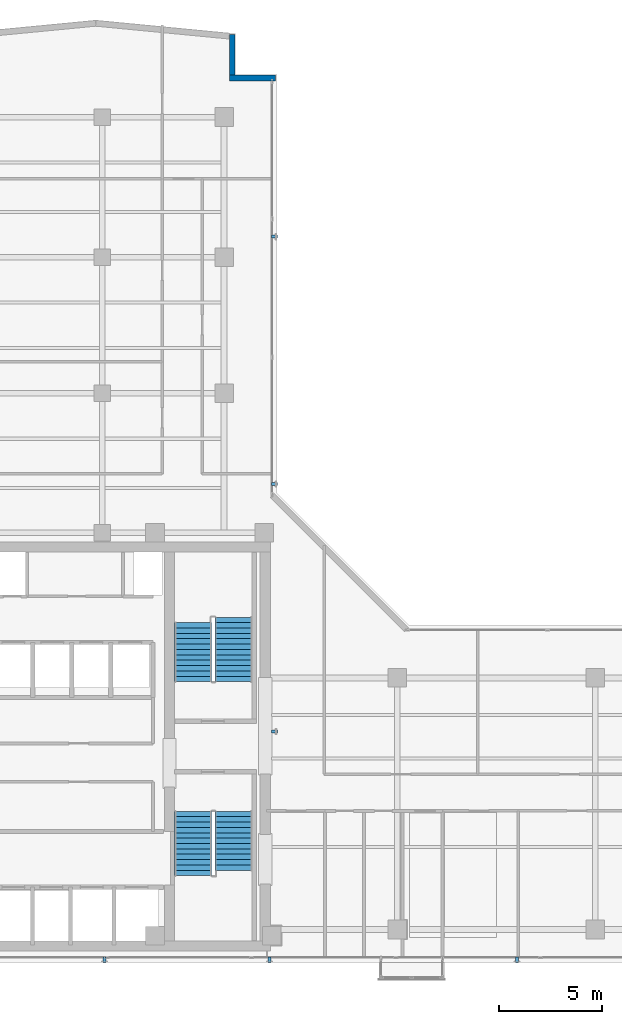
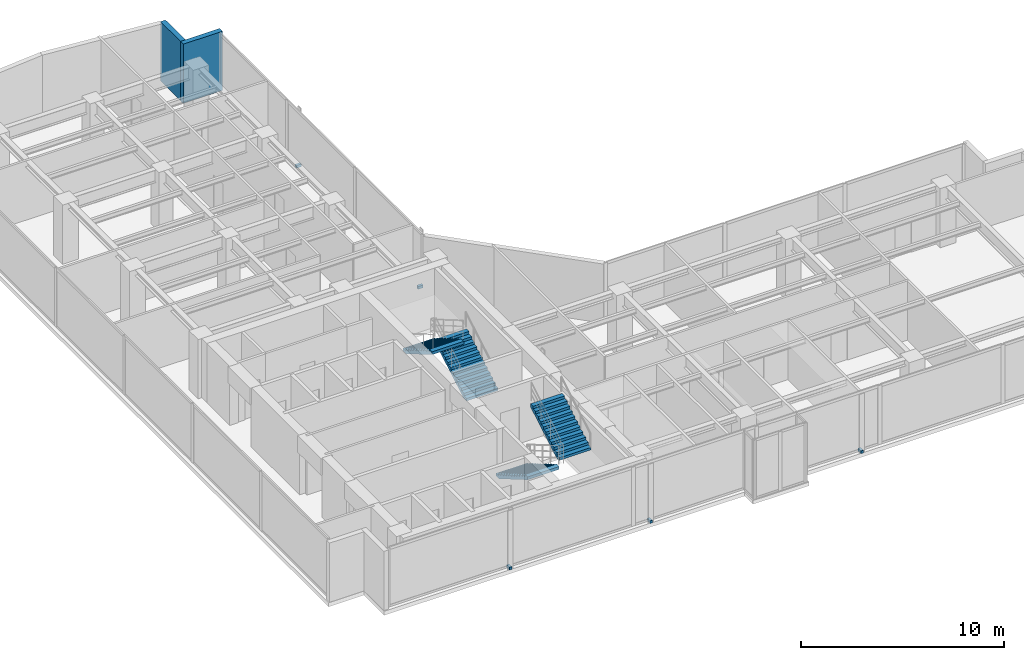
# One storey, part 19 of 22: 6 discrete accessories, 4 stair flights, 2 walls, 2 elements without a shape of their own.
"""IFC4 building model written with IfcOpenShell, lengths in metres."""

from ifc_helpers import new_model, si_unit, direction, frame, frame_2d, origin, origin_with_axes, origin_2d, place, context, subcontext, project, spatial, polyline, rectangle, outline, extrude, source, transform, mapped, material, layer, layer_set, type_object, element, aggregate, save


model = new_model("IFC4")

# Units and contexts
model_context = context("Model", 3, precision=1e-05, world=origin(), true_north=direction((0.0, 1.0)))
body_context = subcontext(model_context, "Body", "Model", "MODEL_VIEW")
ifc_project = project(units=[si_unit("LENGTHUNIT", "METRE"), si_unit("AREAUNIT", "SQUARE_METRE"), si_unit("VOLUMEUNIT", "CUBIC_METRE"), si_unit("PLANEANGLEUNIT", "RADIAN"), si_unit("MASSUNIT", "GRAM", prefix="KILO")], contexts=[model_context])

# Site, building, storey
site_placement = place(None, origin())
site = spatial("IfcSite", under=ifc_project, at=site_placement, CompositionType="ELEMENT")
building_placement = place(site_placement, origin())
building = spatial("IfcBuilding", under=site, at=building_placement, Name="Kolvaren Waterfront Exchange", CompositionType="ELEMENT")
storey_placement = place(building_placement, frame((0.0, 0.0, 278.0)))
storey = spatial("IfcBuildingStorey", under=building, at=storey_placement, Name="L71", CompositionType="ELEMENT", Elevation=278.0)

# Walls
ifc_material_1 = material(Name="Precast concrete C40/50", Category="concrete")
ifc_layer = layer(ifc_material_1, 0.280029296875, Name="Precast concrete C40/50")
ifc_layer_set = layer_set([ifc_layer], Name="Precast concrete C40/50")
wall_type = type_object("IfcWallType", Name="ARC-EXT-TERR-280", PredefinedType="SOLIDWALL", material=ifc_layer_set)
wall_1_placement = place(storey_placement, frame((19.057861328125, 46.49267578125, 0.0), z_axis=(0.0, 0.0, 1.0), x_axis=(1.0, 0.0, 0.0)))
element("IfcWall", 1, at=wall_1_placement, inside=storey, type_object=wall_type, Name="L71 notched corner spandrel pier NNE-A", PredefinedType="SOLIDWALL", context=body_context, shape_type="SweptSolid", body=[
    extrude(rectangle(XDim=2.239990234375, YDim=0.280029296875, at=frame_2d((1.1201171875, 0.0))), origin(), (0.0, 0.0, 1.0), 3.56005859375),
])
wall_2_placement = place(storey_placement, frame((19.197998046875, 46.632568359375, 0.0), z_axis=(0.0, 0.0, 1.0), x_axis=(0.0, 1.0, 0.0)))
element("IfcWall", 2, at=wall_2_placement, inside=storey, type_object=wall_type, Name="L71 notched corner spandrel pier NNE-B", PredefinedType="SOLIDWALL", context=body_context, shape_type="SweptSolid", body=[
    extrude(rectangle(XDim=1.9599609375, YDim=0.280029296875, at=frame_2d((0.97998046875, 0.0))), origin(), (0.0, 0.0, 1.0), 3.56005859375),
])

# Stair, stair flights
ifc_material_2 = material(Name="Concrete C40/50", Category="concrete")
stair_type = type_object("IfcStairType", Name="ARC-STAIR-3800", PredefinedType="HALF_TURN_STAIR", material=ifc_material_2)
stair_1_placement = place(storey_placement, origin())
stair_1 = element("IfcStair", 3, at=stair_1_placement, inside=storey, type_object=stair_type, Name="L71 Smoke-proof exit stair ST1", PredefinedType="HALF_TURN_STAIR")
stair_flight_type = type_object("IfcStairFlightType", Name="ARC-FLIGHT-3800", PredefinedType="STRAIGHT", material=ifc_material_2)
stair_flight_1_placement = place(storey_placement, frame((17.300048828125, 10.929931640625, 0.0), z_axis=(0.0, 0.0, 1.0), x_axis=(0.0, -1.0, 0.0)))
stair_flight_1 = element("IfcStairFlight", 4, at=stair_flight_1_placement, type_object=stair_flight_type, Name="ST1 flight 1", NumberOfRisers=13, NumberOfTreads=12, PredefinedType="STRAIGHT", RiserHeight=0.152, TreadLength=0.26, context=body_context, shape_type="SweptSolid", body=[
    extrude(outline(polyline([(0.0, 0.0), (0.0, 0.152099609375), (0.260009765625, 0.152099609375), (0.260009765625, 0.303955078125), (0.52001953125, 0.303955078125), (0.52001953125, 0.4560546875), (0.780029296875, 0.4560546875), (0.780029296875, 0.60791015625), (1.0400390625, 0.60791015625), (1.0400390625, 0.760009765625), (1.300048828125, 0.760009765625), (1.300048828125, 0.912109375), (1.56005859375, 0.912109375), (1.56005859375, 1.06396484375), (1.820068359375, 1.06396484375), (1.820068359375, 1.216064453125), (2.080078125, 1.216064453125), (2.080078125, 1.367919921875), (2.340087890625, 1.367919921875), (2.340087890625, 1.52001953125), (2.60009765625, 1.52001953125), (2.60009765625, 1.672119140625), (2.860107421875, 1.672119140625), (2.860107421875, 1.823974609375), (3.1201171875, 1.823974609375), (3.1201171875, 1.97607421875), (3.1201171875, 1.650390625), (0.297119140625, 0.0), (0.0, 0.0)])), frame((0.0, 0.89990234375, 0.0), z_axis=(0.0, -1.0, 0.0), x_axis=(1.0, 0.0, 0.0)), (0.0, 0.0, 1.0), 1.800048828125),
])
stair_flight_2_placement = place(storey_placement, frame((19.260009765625, 8.070068359375, 1.97607421875), z_axis=(0.0, 0.0, 1.0), x_axis=(0.0, 1.0, 0.0)))
stair_flight_2 = element("IfcStairFlight", 5, at=stair_flight_2_placement, type_object=stair_flight_type, Name="ST1 flight 2", NumberOfRisers=12, NumberOfTreads=11, PredefinedType="STRAIGHT", RiserHeight=0.152, TreadLength=0.26, context=body_context, shape_type="SweptSolid", body=[
    extrude(outline(polyline([(0.0, 0.0), (0.0, 0.152099609375), (0.260009765625, 0.152099609375), (0.260009765625, 0.303955078125), (0.52001953125, 0.303955078125), (0.52001953125, 0.4560546875), (0.780029296875, 0.4560546875), (0.780029296875, 0.60791015625), (1.0400390625, 0.60791015625), (1.0400390625, 0.760009765625), (1.300048828125, 0.760009765625), (1.300048828125, 0.912109375), (1.56005859375, 0.912109375), (1.56005859375, 1.06396484375), (1.820068359375, 1.06396484375), (1.820068359375, 1.216064453125), (2.080078125, 1.216064453125), (2.080078125, 1.367919921875), (2.340087890625, 1.367919921875), (2.340087890625, 1.52001953125), (2.60009765625, 1.52001953125), (2.60009765625, 1.672119140625), (2.860107421875, 1.672119140625), (2.860107421875, 1.823974609375), (2.860107421875, 1.498291015625), (0.297119140625, 0.0), (0.0, 0.0)])), frame((0.0, 0.89990234375, 0.0), z_axis=(0.0, -1.0, 0.0), x_axis=(1.0, 0.0, 0.0)), (0.0, 0.0, 1.0), 1.800048828125),
])
aggregate(stair_1, [stair_flight_1, stair_flight_2])

stair_2_placement = place(storey_placement, origin())
stair_2 = element("IfcStair", 6, at=stair_2_placement, inside=storey, type_object=stair_type, Name="L71 Smoke-proof exit stair ST2", PredefinedType="HALF_TURN_STAIR")
stair_flight_3_placement = place(storey_placement, frame((19.260009765625, 17.219970703125, 0.0), z_axis=(0.0, 0.0, 1.0), x_axis=(0.0, 1.0, 0.0)))
stair_flight_3 = element("IfcStairFlight", 7, at=stair_flight_3_placement, type_object=stair_flight_type, Name="ST2 flight 1", NumberOfRisers=13, NumberOfTreads=12, PredefinedType="STRAIGHT", RiserHeight=0.152, TreadLength=0.26, context=body_context, shape_type="SweptSolid", body=[
    extrude(outline(polyline([(0.0, 0.0), (0.0, 0.152099609375), (0.260009765625, 0.152099609375), (0.260009765625, 0.303955078125), (0.52001953125, 0.303955078125), (0.52001953125, 0.4560546875), (0.780029296875, 0.4560546875), (0.780029296875, 0.60791015625), (1.0400390625, 0.60791015625), (1.0400390625, 0.760009765625), (1.300048828125, 0.760009765625), (1.300048828125, 0.912109375), (1.56005859375, 0.912109375), (1.56005859375, 1.06396484375), (1.820068359375, 1.06396484375), (1.820068359375, 1.216064453125), (2.080078125, 1.216064453125), (2.080078125, 1.367919921875), (2.340087890625, 1.367919921875), (2.340087890625, 1.52001953125), (2.60009765625, 1.52001953125), (2.60009765625, 1.672119140625), (2.860107421875, 1.672119140625), (2.860107421875, 1.823974609375), (3.1201171875, 1.823974609375), (3.1201171875, 1.97607421875), (3.1201171875, 1.650390625), (0.297119140625, 0.0), (0.0, 0.0)])), frame((0.0, 0.89990234375, 0.0), z_axis=(0.0, -1.0, 0.0), x_axis=(1.0, 0.0, 0.0)), (0.0, 0.0, 1.0), 1.800048828125),
])
stair_flight_4_placement = place(storey_placement, frame((17.300048828125, 20.080078125, 1.97607421875), z_axis=(0.0, 0.0, 1.0), x_axis=(0.0, -1.0, 0.0)))
stair_flight_4 = element("IfcStairFlight", 8, at=stair_flight_4_placement, type_object=stair_flight_type, Name="ST2 flight 2", NumberOfRisers=12, NumberOfTreads=11, PredefinedType="STRAIGHT", RiserHeight=0.152, TreadLength=0.26, context=body_context, shape_type="SweptSolid", body=[
    extrude(outline(polyline([(0.0, 0.0), (0.0, 0.152099609375), (0.260009765625, 0.152099609375), (0.260009765625, 0.303955078125), (0.52001953125, 0.303955078125), (0.52001953125, 0.4560546875), (0.780029296875, 0.4560546875), (0.780029296875, 0.60791015625), (1.0400390625, 0.60791015625), (1.0400390625, 0.760009765625), (1.300048828125, 0.760009765625), (1.300048828125, 0.912109375), (1.56005859375, 0.912109375), (1.56005859375, 1.06396484375), (1.820068359375, 1.06396484375), (1.820068359375, 1.216064453125), (2.080078125, 1.216064453125), (2.080078125, 1.367919921875), (2.340087890625, 1.367919921875), (2.340087890625, 1.52001953125), (2.60009765625, 1.52001953125), (2.60009765625, 1.672119140625), (2.860107421875, 1.672119140625), (2.860107421875, 1.823974609375), (2.860107421875, 1.498291015625), (0.297119140625, 0.0), (0.0, 0.0)])), frame((0.0, 0.89990234375, 0.0), z_axis=(0.0, -1.0, 0.0), x_axis=(1.0, 0.0, 0.0)), (0.0, 0.0, 1.0), 1.800048828125),
])
aggregate(stair_2, [stair_flight_3, stair_flight_4])

# Discrete accessories
ifc_material_3 = material(Name="Stainless steel 316", Category="steel")
discrete_accessory_type = type_object("IfcDiscreteAccessoryType", Name="ARC-BRK-FIN", PredefinedType="BRACKET", material=ifc_material_3)
shared_shape = source(origin_with_axes(), body_context, "Body", "SweptSolid", [
    extrude(rectangle(XDim=0.280029296875, YDim=0.139892578125, at=origin_2d()), origin(), (0.0, 0.0, 1.0), 0.159912109375),
])
for number, where, z_axis, x_axis, name in (
    (9, (13.0, 3.719970703125, 0.0), (0.0, 0.0, 1.0), (0.0, -1.0, 0.0), "L71 bronze fin anchor bracket FIN-L71-S1"),
    (10, (21.0, 3.719970703125, 0.0), (0.0, 0.0, 1.0), (0.0, -1.0, 0.0), "L71 bronze fin anchor bracket FIN-L71-S2"),
    (11, (33.0, 3.719970703125, 0.0), (0.0, 0.0, 1.0), (0.0, -1.0, 0.0), "L71 bronze fin anchor bracket FIN-L71-S3"),
    (12, (21.23779296875, 14.800048828125, 0.0), (0.0, 0.0, 1.0), (1.0, 0.0, 0.0), "L71 bronze fin anchor bracket FIN-L71-E1"),
    (13, (21.23779296875, 26.800048828125, 0.0), (0.0, 0.0, 1.0), (1.0, 0.0, 0.0), "L71 bronze fin anchor bracket FIN-L71-E2"),
    (14, (21.23779296875, 38.800048828125, 0.0), (0.0, 0.0, 1.0), (1.0, 0.0, 0.0), "L71 bronze fin anchor bracket FIN-L71-E3"),
):
    element("IfcDiscreteAccessory", number, at=place(storey_placement, frame(where, z_axis=z_axis, x_axis=x_axis)), inside=storey, type_object=discrete_accessory_type, Name=name, PredefinedType="BRACKET", context=body_context, shape_type="MappedRepresentation", body=[
        mapped(shared_shape, transform((0.0, 0.0, 0.0), x_axis=(1.0, 0.0, 0.0), y_axis=(0.0, 1.0, 0.0), z_axis=(0.0, 0.0, 1.0), scale=1.0)),
    ])

save(model, "model.ifc")
